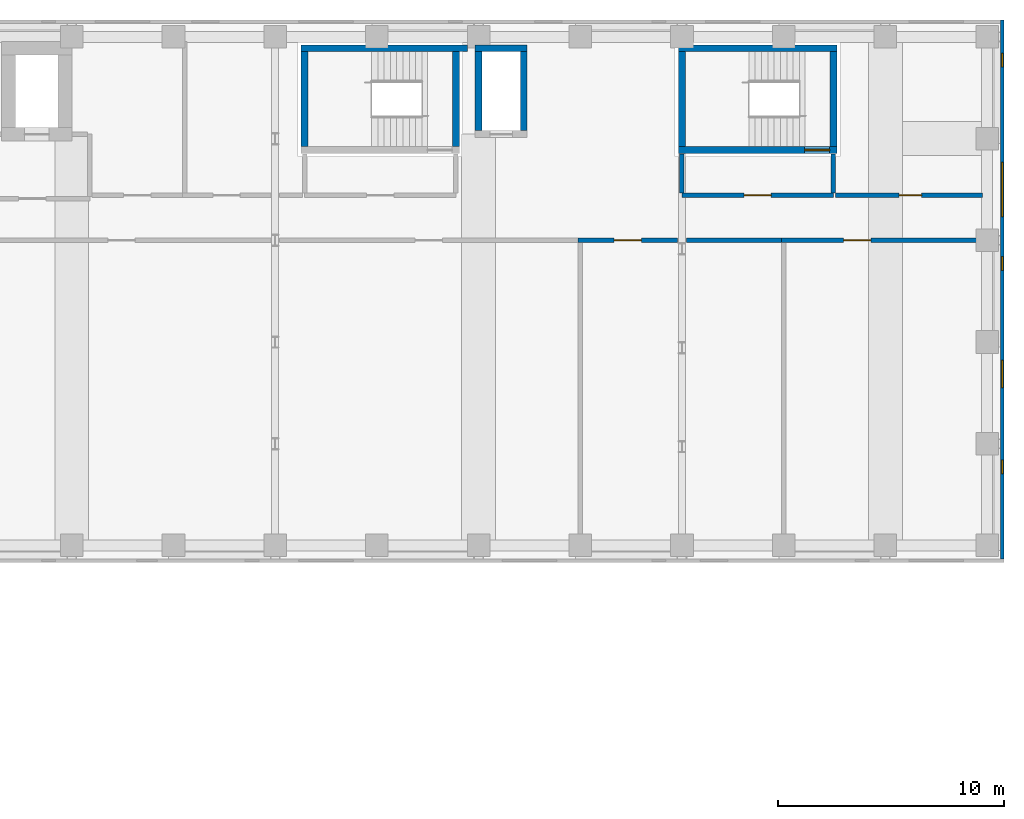
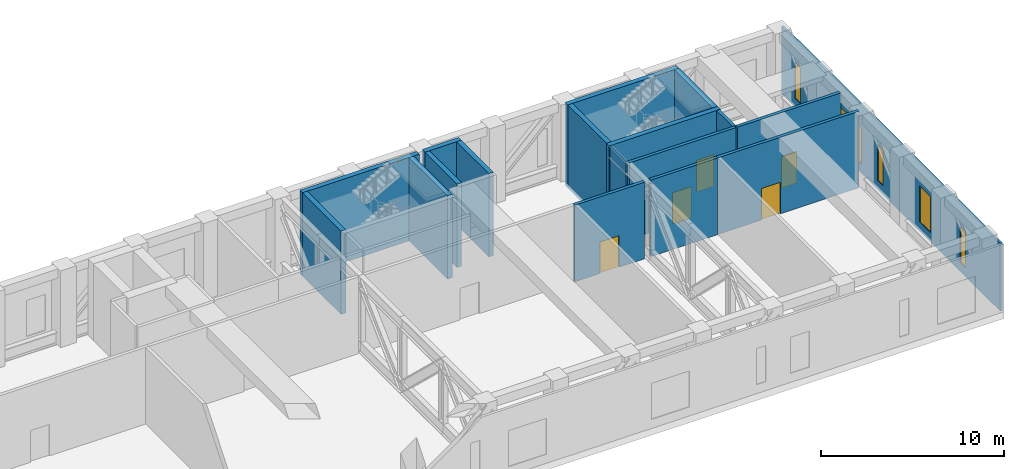
# One storey, part 10 of 14: 18 walls, 5 doors, 5 windows, 10 openings.
"""IFC4 building model written with IfcOpenShell, lengths in metres."""

import ifcopenshell
import ifcopenshell.guid

model = None  # the IFC model being written
_history = None  # IfcOwnerHistory: only IFC2X3 demands one
_inside = {}  # id of a spatial element -> (the spatial element, [elements in it])
_under = {}  # id of a project, library or spatial element -> (it, [spatial elements below it])
_declared = {}  # id of a project -> (the project, [libraries it declares])
_typed = {}  # id of a type object -> (the type object, [elements of that type])
_made_of = {}  # id of a material, layer set ... -> (it, [elements and type objects made of it])


def new_model(schema):
    """Start an empty IFC model of exactly this schema.

    Asked for "IFC4X3", IfcOpenShell would pick the latest addendum, in which some entities
    have other attributes; the version numbers below select the first issue.
    IFC2X3 requires an IfcOwnerHistory on every rooted entity: one is made here for all.
    """
    global model, _history
    if schema == "IFC4X3":
        model = ifcopenshell.file(schema_version=(4, 3, 0, 0))
    else:
        model = ifcopenshell.file(schema=schema)
    _inside.clear()
    _under.clear()
    _declared.clear()
    _typed.clear()
    _made_of.clear()
    _history = None
    if model.schema == "IFC2X3":
        org = make("IfcOrganization", Name="unknown")
        user = make(
            "IfcPersonAndOrganization",
            ThePerson=make("IfcPerson", FamilyName="unknown"),
            TheOrganization=org,
        )
        app = make(
            "IfcApplication",
            ApplicationDeveloper=org,
            Version="unknown",
            ApplicationFullName="unknown",
            ApplicationIdentifier="unknown",
        )
        _history = make(
            "IfcOwnerHistory",
            OwningUser=user,
            OwningApplication=app,
            ChangeAction="ADDED",
            CreationDate=0,
        )
    return model


def make(cls, **values):
    """One entity of the class cls with the attributes given. An attribute that is None is left unset."""
    return model.create_entity(
        cls, **{name: value for name, value in values.items() if value is not None}
    )


def rooted(cls, **values):
    """An entity with a GlobalId (a new one), such as an element, a storey or a relation."""
    return make(cls, GlobalId=ifcopenshell.guid.new(), OwnerHistory=_history, **values)


def si_unit(unit_type, name, prefix=None):
    """IfcSIUnit, for example si_unit("LENGTHUNIT", "METRE", prefix="MILLI")."""
    return make("IfcSIUnit", UnitType=unit_type, Prefix=prefix, Name=name)


def assignment(units):
    """IfcUnitAssignment: the units of a project."""
    return None if units is None else make("IfcUnitAssignment", Units=units)


def point(xyz):
    """IfcCartesianPoint."""
    return None if xyz is None else make("IfcCartesianPoint", Coordinates=xyz)


def direction(xyz):
    """IfcDirection."""
    return None if xyz is None else make("IfcDirection", DirectionRatios=xyz)


def frame(location, z_axis=None, x_axis=None):
    """IfcAxis2Placement3D, a coordinate frame: its origin and axes. An axis left out is left unset."""
    return make(
        "IfcAxis2Placement3D",
        Location=point(location),
        Axis=direction(z_axis),
        RefDirection=direction(x_axis),
    )


def frame_2d(location, x_axis=None):
    """IfcAxis2Placement2D, a coordinate frame in the plane: its origin and x axis."""
    return make(
        "IfcAxis2Placement2D", Location=point(location), RefDirection=direction(x_axis)
    )


def origin():
    """The frame at (0, 0, 0) with its axes left unset."""
    return frame((0.0, 0.0, 0.0))


def place(relative_to, where):
    """IfcLocalPlacement: puts the frame where relative to a parent placement (None: the world)."""
    return make(
        "IfcLocalPlacement", PlacementRelTo=relative_to, RelativePlacement=where
    )


def context(
    kind, dimensions, precision=None, world=None, true_north=None, identifier=None
):
    """IfcGeometricRepresentationContext, for example the 3D "Model" context."""
    return make(
        "IfcGeometricRepresentationContext",
        ContextIdentifier=identifier,
        ContextType=kind,
        CoordinateSpaceDimension=dimensions,
        Precision=precision,
        WorldCoordinateSystem=world,
        TrueNorth=true_north,
    )


def subcontext(parent, identifier, kind, view, scale=None):
    """IfcGeometricRepresentationSubContext, for example "Body" below "Model"."""
    return make(
        "IfcGeometricRepresentationSubContext",
        ContextIdentifier=identifier,
        ContextType=kind,
        ParentContext=parent,
        TargetScale=scale,
        TargetView=view,
    )


def project(units=None, contexts=None):
    """IfcProject with its units and contexts."""
    return rooted(
        "IfcProject",
        Name="project",
        RepresentationContexts=contexts,
        UnitsInContext=assignment(units),
    )


def spatial(cls, under=None, at=None, **own):
    """A site, building, storey or space (cls), placed at a placement, below another one or the project."""
    s = rooted(cls, ObjectPlacement=at, **own)
    if under is not None:
        _under.setdefault(under.id(), (under, []))[1].append(s)
    return s


def profile(cls, at=None, kind="AREA", **sizes):
    """A parametric profile (cls). Its sizes go by their IFC names, for example OverallWidth=200.0."""
    return make(cls, ProfileType=kind, Position=at, **sizes)


def rectangle(**sizes):
    """IfcRectangleProfileDef."""
    return profile("IfcRectangleProfileDef", **sizes)


def extrude(swept, where, along, depth):
    """IfcExtrudedAreaSolid: the profile swept, set in the frame where, extruded along a direction by depth."""
    return make(
        "IfcExtrudedAreaSolid",
        SweptArea=swept,
        Position=where,
        ExtrudedDirection=direction(along),
        Depth=depth,
    )


def shape(context_of_items, identifier, shape_type, items):
    """IfcShapeRepresentation: the items that make up one representation, for example the "Body"."""
    return make(
        "IfcShapeRepresentation",
        ContextOfItems=context_of_items,
        RepresentationIdentifier=identifier,
        RepresentationType=shape_type,
        Items=items,
    )


def material(Name=None, Category=None):
    """IfcMaterial."""
    return make("IfcMaterial", Name=Name, Category=Category)


def layer(
    of_material, thickness, ventilated=None, Name=None, Category=None, Priority=None
):
    """IfcMaterialLayer: one layer of a wall or slab, of a material (None: an air gap)."""
    return make(
        "IfcMaterialLayer",
        Material=of_material,
        LayerThickness=thickness,
        IsVentilated=ventilated,
        Name=Name,
        Category=Category,
        Priority=Priority,
    )


def layer_set(layers, Name=None):
    """IfcMaterialLayerSet."""
    return make("IfcMaterialLayerSet", MaterialLayers=layers, LayerSetName=Name)


def made_of(thing, what):
    """Note that an element or type object is made of a material, layer set ...; save() writes the relation."""
    if what is not None:
        _made_of.setdefault(what.id(), (what, []))[1].append(thing)
    return thing


def type_object(cls, material=None, **own):
    """A type object (cls), such as IfcWallType, which elements share."""
    return made_of(rooted(cls, **own), material)


def element(
    cls,
    number,
    at=None,
    inside=None,
    cuts=None,
    type_object=None,
    material=None,
    context=None,
    identifier="Body",
    shape_type=None,
    held_by="IfcProductDefinitionShape",
    body=None,
    shapes=None,
    **own,
):
    """One element of the class cls, such as IfcWall. Its Tag is "e" and its number.

    at: its placement. inside: the storey or other place that contains it. cuts: it is an
    opening in that element (IfcRelVoidsElement). A single representation is given by context,
    identifier, shape_type and body (its items); several are given by shapes. held_by: the class
    of the entity that holds the representations. save() writes the other relations.
    """
    e = rooted(cls, Tag="e%d" % number, ObjectPlacement=at, **own)
    if body is not None:
        shapes = [shape(context, identifier, shape_type, body)]
    if shapes is not None:
        e.Representation = make(held_by, Representations=shapes)
    if inside is not None:
        _inside.setdefault(inside.id(), (inside, []))[1].append(e)
    if cuts is not None:
        rooted(
            "IfcRelVoidsElement", RelatingBuildingElement=cuts, RelatedOpeningElement=e
        )
    if type_object is not None:
        _typed.setdefault(type_object.id(), (type_object, []))[1].append(e)
    return made_of(e, material)


def fill(opening, filler):
    """IfcRelFillsElement: the door or window that sits in an opening."""
    return rooted(
        "IfcRelFillsElement",
        RelatingOpeningElement=opening,
        RelatedBuildingElement=filler,
    )


def aggregate(whole, parts):
    """IfcRelAggregates: a whole, such as a stair, and the parts it consists of."""
    return rooted("IfcRelAggregates", RelatingObject=whole, RelatedObjects=parts)


def save(model, path):
    """Write the relations noted so far, then the file.

    IfcRelAggregates (storeys below a building ...), IfcRelContainedInSpatialStructure (elements
    in a storey), IfcRelDefinesByType, IfcRelAssociatesMaterial and IfcRelDeclares: one each for
    every whole, place, type object, material and project.
    """
    for whole, parts in _under.values():
        aggregate(whole, parts)
    for where, things in _inside.values():
        rooted(
            "IfcRelContainedInSpatialStructure",
            RelatedElements=things,
            RelatingStructure=where,
        )
    for kind, things in _typed.values():
        rooted("IfcRelDefinesByType", RelatedObjects=things, RelatingType=kind)
    for what, things in _made_of.values():
        rooted("IfcRelAssociatesMaterial", RelatedObjects=things, RelatingMaterial=what)
    for by, libraries in _declared.values():
        rooted("IfcRelDeclares", RelatingContext=by, RelatedDefinitions=libraries)
    model.write(path)


model = new_model("IFC4")

# Units and contexts
model_context = context("Model", 3, precision=1e-05, world=origin(), true_north=direction((0.0, 1.0)))
body_context = subcontext(model_context, "Body", "Model", "MODEL_VIEW")
ifc_project = project(units=[si_unit("LENGTHUNIT", "METRE"), si_unit("AREAUNIT", "SQUARE_METRE"), si_unit("VOLUMEUNIT", "CUBIC_METRE"), si_unit("PLANEANGLEUNIT", "RADIAN"), si_unit("MASSUNIT", "GRAM", prefix="KILO")], contexts=[model_context])

# Site, building, storey
site_placement = place(None, origin())
site = spatial("IfcSite", under=ifc_project, at=site_placement, CompositionType="ELEMENT")
building_placement = place(site_placement, origin())
building = spatial("IfcBuilding", under=site, at=building_placement, Name="Firuza Court", CompositionType="ELEMENT")
storey_placement = place(building_placement, frame((0.0, 0.0, 173.60009765625)))
storey = spatial("IfcBuildingStorey", under=building, at=storey_placement, Name="L44", CompositionType="ELEMENT", Elevation=173.60009765625)

# Walls
ifc_material_1 = material(Name="Concrete C60/75", Category="concrete")
ifc_layer_1 = layer(ifc_material_1, 0.300048828125)
ifc_layer_set_1 = layer_set([ifc_layer_1], Name="Concrete C60/75")
wall_type_1 = type_object("IfcWallType", Name="Core wall 300 C60/75", PredefinedType="SHEAR", material=ifc_layer_set_1)
wall_1_placement = place(storey_placement, frame((37.14990234375, 58.0, -0.4501953125), z_axis=(0.0, 0.0, 1.0), x_axis=(1.0, 0.0, 0.0)))
element("IfcWall", 1, at=wall_1_placement, inside=storey, type_object=wall_type_1, Name="Core wall stair L44", PredefinedType="SHEAR", context=body_context, shape_type="SweptSolid", body=[
    extrude(rectangle(XDim=7.35009765625, YDim=0.300048828125, at=frame_2d((3.675048828125, 0.0))), origin(), (0.0, 0.0, 1.0), 5.550048828125),
])
for number, where, z_axis, x_axis, name in (
    (2, (37.300048828125, 53.64990234375, -0.4501953125), (0.0, 0.0, 1.0), (0.0, 1.0, 0.0), "Core wall stair L44"),
    (3, (44.0, 53.64990234375, -0.4501953125), (0.0, 0.0, 1.0), (0.0, 1.0, 0.0), "Core wall stair L44"),
):
    element("IfcWall", number, at=place(storey_placement, frame(where, z_axis=z_axis, x_axis=x_axis)), inside=storey, type_object=wall_type_1, Name=name, PredefinedType="SHEAR", context=body_context, shape_type="SweptSolid", body=[
        extrude(rectangle(XDim=4.2001953125, YDim=0.300048828125, at=frame_2d((2.10009765625, 0.0))), origin(), (0.0, 0.0, 1.0), 5.550048828125),
    ])
wall_2_placement = place(storey_placement, frame((44.85009765625, 58.0, -0.4501953125), z_axis=(0.0, 0.0, 1.0), x_axis=(1.0, 0.0, 0.0)))
element("IfcWall", 4, at=wall_2_placement, inside=storey, type_object=wall_type_1, Name="Core wall riser L44", PredefinedType="SHEAR", context=body_context, shape_type="SweptSolid", body=[
    extrude(rectangle(XDim=2.2998046875, YDim=0.300048828125, at=frame_2d((1.14990234375, 0.0))), origin(), (0.0, 0.0, 1.0), 5.550048828125),
])
for number, where, z_axis, x_axis, name in (
    (5, (45.0, 54.35009765625, -0.4501953125), (0.0, 0.0, 1.0), (0.0, 1.0, 0.0), "Core wall riser L44"),
    (6, (47.0, 54.35009765625, -0.4501953125), (0.0, 0.0, 1.0), (0.0, 1.0, 0.0), "Core wall riser L44"),
):
    element("IfcWall", number, at=place(storey_placement, frame(where, z_axis=z_axis, x_axis=x_axis)), inside=storey, type_object=wall_type_1, Name=name, PredefinedType="SHEAR", context=body_context, shape_type="SweptSolid", body=[
        extrude(rectangle(XDim=3.5, YDim=0.300048828125, at=frame_2d((1.75, 0.0))), origin(), (0.0, 0.0, 1.0), 5.550048828125),
    ])

# Wall, opening, door
wall_3_placement = place(storey_placement, frame((53.85009765625, 53.5, -0.4501953125), z_axis=(0.0, 0.0, 1.0), x_axis=(1.0, 0.0, 0.0)))
wall_3 = element("IfcWall", 7, at=wall_3_placement, inside=storey, type_object=wall_type_1, Name="Core wall stair L44", PredefinedType="SHEAR", context=body_context, shape_type="SweptSolid", body=[
    extrude(rectangle(XDim=7.0, YDim=0.300048828125, at=frame_2d((3.5, 0.0))), origin(), (0.0, 0.0, 1.0), 5.550048828125),
])
opening_1_placement = place(wall_3_placement, frame((5.580078125, 0.0, 0.449951171875)))
opening_1 = element("IfcOpeningElement", 8, at=opening_1_placement, cuts=wall_3, Name="Opening D44016", PredefinedType="OPENING", context=body_context, shape_type="SweptSolid", body=[
    extrude(rectangle(XDim=1.10009765625, YDim=2.10009765625, at=frame_2d((0.550048828125, 1.050048828125))), frame((0.0, 0.162109375, 0.0), z_axis=(0.0, -1.0, 0.0), x_axis=(1.0, 0.0, 0.0)), (0.0, 0.0, 1.0), 0.323974609375),
])
ifc_material_2 = material(Name="Timber door leaf in hardwood frame", Category="wood")
door_type_1 = type_object("IfcDoorType", Name="Stair door 1100", OperationType="SINGLE_SWING_LEFT", PredefinedType="DOOR", material=ifc_material_2)
door_1_placement = place(opening_1_placement, origin())
door_1 = element("IfcDoor", 9, at=door_1_placement, inside=storey, type_object=door_type_1, Name="Stair door S4", OperationType="SINGLE_SWING_RIGHT", OverallHeight=2.10009765625, OverallWidth=1.10009765625, PredefinedType="DOOR", context=body_context, shape_type="SweptSolid", body=[
    extrude(rectangle(XDim=1.10009765625, YDim=2.10009765625, at=frame_2d((0.550048828125, 1.050048828125))), frame((0.0, 0.02490234375, 0.0), z_axis=(0.0, -1.0, 0.0), x_axis=(1.0, 0.0, 0.0)), (0.0, 0.0, 1.0), 0.050048828125),
])
fill(opening_1, door_1)

# Walls
wall_4_placement = place(storey_placement, frame((53.85009765625, 58.0, -0.4501953125), z_axis=(0.0, 0.0, 1.0), x_axis=(1.0, 0.0, 0.0)))
element("IfcWall", 10, at=wall_4_placement, inside=storey, type_object=wall_type_1, Name="Core wall stair L44", PredefinedType="SHEAR", context=body_context, shape_type="SweptSolid", body=[
    extrude(rectangle(XDim=7.0, YDim=0.300048828125, at=frame_2d((3.5, 0.0))), origin(), (0.0, 0.0, 1.0), 5.550048828125),
])
for number, where, z_axis, x_axis, name in (
    (11, (54.0, 53.64990234375, -0.4501953125), (0.0, 0.0, 1.0), (0.0, 1.0, 0.0), "Core wall stair L44"),
    (12, (60.699951171875, 53.64990234375, -0.4501953125), (0.0, 0.0, 1.0), (0.0, 1.0, 0.0), "Core wall stair L44"),
):
    element("IfcWall", number, at=place(storey_placement, frame(where, z_axis=z_axis, x_axis=x_axis)), inside=storey, type_object=wall_type_1, Name=name, PredefinedType="SHEAR", context=body_context, shape_type="SweptSolid", body=[
        extrude(rectangle(XDim=4.2001953125, YDim=0.300048828125, at=frame_2d((2.10009765625, 0.0))), origin(), (0.0, 0.0, 1.0), 5.550048828125),
    ])

# Wall, opening, door
ifc_material_3 = material(Name="Blockwork, fire-rated", Category="masonry")
ifc_layer_2 = layer(ifc_material_3, 0.199951171875)
ifc_layer_set_2 = layer_set([ifc_layer_2], Name="Blockwork, fire-rated")
wall_type_2 = type_object("IfcWallType", Name="Plant room wall 200", PredefinedType="PARTITIONING", material=ifc_layer_set_2)
wall_5_placement = place(storey_placement, frame((49.39990234375, 49.5, 0.0), z_axis=(0.0, 0.0, 1.0), x_axis=(1.0, 0.0, 0.0)))
wall_5 = element("IfcWall", 13, at=wall_5_placement, inside=storey, type_object=wall_type_2, Name="Plant room wall 200 L44", PredefinedType="PARTITIONING", context=body_context, shape_type="SweptSolid", body=[
    extrude(rectangle(XDim=4.40771484375, YDim=0.199951171875, at=frame_2d((2.203857421875, 0.0))), origin(), (0.0, 0.0, 1.0), 5.099853515625),
])
opening_2_placement = place(wall_5_placement, frame((1.603759765625, 0.0, 0.0)))
opening_2 = element("IfcOpeningElement", 14, at=opening_2_placement, cuts=wall_5, Name="Opening D44027", PredefinedType="OPENING", context=body_context, shape_type="SweptSolid", body=[
    extrude(rectangle(XDim=1.199951171875, YDim=2.10009765625, at=frame_2d((0.60009765625, 1.050048828125))), frame((0.0, 0.11181640625, 0.0), z_axis=(0.0, -1.0, 0.0), x_axis=(1.0, 0.0, 0.0)), (0.0, 0.0, 1.0), 0.223876953125),
])
ifc_material_4 = material(Name="Timber door leaf in hardwood frame", Category="wood")
door_type_2 = type_object("IfcDoorType", Name="Plant room door 1200", OperationType="SINGLE_SWING_LEFT", PredefinedType="DOOR", material=ifc_material_4)
door_2_placement = place(opening_2_placement, frame((1.199951171875, 0.0, 0.0), z_axis=(0.0, 0.0, 1.0), x_axis=(-1.0, 0.0, 0.0)))
door_2 = element("IfcDoor", 15, at=door_2_placement, inside=storey, type_object=door_type_2, Name="Plant door", OperationType="SINGLE_SWING_RIGHT", OverallHeight=2.10009765625, OverallWidth=1.199951171875, PredefinedType="DOOR", context=body_context, shape_type="SweptSolid", body=[
    extrude(rectangle(XDim=1.199951171875, YDim=2.10009765625, at=frame_2d((0.60009765625, 1.050048828125))), frame((0.0, 0.02490234375, 0.0), z_axis=(0.0, -1.0, 0.0), x_axis=(1.0, 0.0, 0.0)), (0.0, 0.0, 1.0), 0.050048828125),
])
fill(opening_2, door_2)

# Wall
wall_6_placement = place(storey_placement, frame((54.1923828125, 49.5, 0.0), z_axis=(0.0, 0.0, 1.0), x_axis=(1.0, 0.0, 0.0)))
element("IfcWall", 16, at=wall_6_placement, inside=storey, type_object=wall_type_2, Name="Plant room wall 200 L44", PredefinedType="PARTITIONING", context=body_context, shape_type="SweptSolid", body=[
    extrude(rectangle(XDim=4.20751953125, YDim=0.199951171875, at=frame_2d((2.103759765625, 0.0))), origin(), (0.0, 0.0, 1.0), 5.099853515625),
])

# Wall, opening, door
wall_7_placement = place(storey_placement, frame((58.39990234375, 49.5, 0.0), z_axis=(0.0, 0.0, 1.0), x_axis=(1.0, 0.0, 0.0)))
wall_7 = element("IfcWall", 17, at=wall_7_placement, inside=storey, type_object=wall_type_2, Name="Plant room wall 200 L44", PredefinedType="PARTITIONING", context=body_context, shape_type="SweptSolid", body=[
    extrude(rectangle(XDim=8.90869140625, YDim=0.199951171875, at=frame_2d((4.454345703125, 0.0))), origin(), (0.0, 0.0, 1.0), 5.099853515625),
])
opening_3_placement = place(wall_7_placement, frame((2.754150390625, 0.0, 0.0)))
opening_3 = element("IfcOpeningElement", 18, at=opening_3_placement, cuts=wall_7, Name="Opening D44028", PredefinedType="OPENING", context=body_context, shape_type="SweptSolid", body=[
    extrude(rectangle(XDim=1.199951171875, YDim=2.10009765625, at=frame_2d((0.60009765625, 1.050048828125))), frame((0.0, 0.11181640625, 0.0), z_axis=(0.0, -1.0, 0.0), x_axis=(1.0, 0.0, 0.0)), (0.0, 0.0, 1.0), 0.223876953125),
])
door_3_placement = place(opening_3_placement, frame((1.199951171875, 0.0, 0.0), z_axis=(0.0, 0.0, 1.0), x_axis=(-1.0, 0.0, 0.0)))
door_3 = element("IfcDoor", 19, at=door_3_placement, inside=storey, type_object=door_type_2, Name="Plant door", OperationType="SINGLE_SWING_RIGHT", OverallHeight=2.10009765625, OverallWidth=1.199951171875, PredefinedType="DOOR", context=body_context, shape_type="SweptSolid", body=[
    extrude(rectangle(XDim=1.199951171875, YDim=2.10009765625, at=frame_2d((0.60009765625, 1.050048828125))), frame((0.0, 0.02490234375, 0.0), z_axis=(0.0, -1.0, 0.0), x_axis=(1.0, 0.0, 0.0)), (0.0, 0.0, 1.0), 0.050048828125),
])
fill(opening_3, door_3)

wall_8_placement = place(storey_placement, frame((67.30859375, 51.5, 0.0), z_axis=(0.0, 0.0, 1.0), x_axis=(-1.0, 0.0, 0.0)))
wall_8 = element("IfcWall", 20, at=wall_8_placement, inside=storey, type_object=wall_type_2, Name="Plant room wall 200 L44", PredefinedType="PARTITIONING", context=body_context, shape_type="SweptSolid", body=[
    extrude(rectangle(XDim=6.508544921875, YDim=0.199951171875, at=frame_2d((3.25439453125, 0.0))), origin(), (0.0, 0.0, 1.0), 5.099853515625),
])
opening_4_placement = place(wall_8_placement, frame((2.7041015625, 0.0, 0.0)))
opening_4 = element("IfcOpeningElement", 21, at=opening_4_placement, cuts=wall_8, Name="Opening D44031", PredefinedType="OPENING", context=body_context, shape_type="SweptSolid", body=[
    extrude(rectangle(XDim=1.0, YDim=2.10009765625, at=frame_2d((0.5, 1.050048828125))), frame((0.0, 0.11181640625, 0.0), z_axis=(0.0, -1.0, 0.0), x_axis=(1.0, 0.0, 0.0)), (0.0, 0.0, 1.0), 0.223876953125),
])
ifc_material_5 = material(Name="Timber door leaf in hardwood frame", Category="wood")
door_type_3 = type_object("IfcDoorType", Name="Store door 1000", OperationType="SINGLE_SWING_LEFT", PredefinedType="DOOR", material=ifc_material_5)
door_4_placement = place(opening_4_placement, frame((1.0, 0.0, 0.0), z_axis=(0.0, 0.0, 1.0), x_axis=(-1.0, 0.0, 0.0)))
door_4 = element("IfcDoor", 22, at=door_4_placement, inside=storey, type_object=door_type_3, Name="Store door", OperationType="SINGLE_SWING_LEFT", OverallHeight=2.10009765625, OverallWidth=1.0, PredefinedType="DOOR", context=body_context, shape_type="SweptSolid", body=[
    extrude(rectangle(XDim=1.0, YDim=2.10009765625, at=frame_2d((0.5, 1.050048828125))), frame((0.0, 0.02490234375, 0.0), z_axis=(0.0, -1.0, 0.0), x_axis=(1.0, 0.0, 0.0)), (0.0, 0.0, 1.0), 0.050048828125),
])
fill(opening_4, door_4)

# Wall, openings, windows
ifc_material_6 = material(Name="Ceramic tile", Category="ceramic")
ifc_layer_3 = layer(ifc_material_6, 0.02001953125)
ifc_material_7 = material(Name="Mineral wool insulation", Category="insulation")
ifc_layer_4 = layer(ifc_material_7, 0.050048828125)
ifc_material_8 = material(Name="Concrete C40/50 precast", Category="concrete")
ifc_layer_5 = layer(ifc_material_8, 0.080078125)
ifc_layer_set_3 = layer_set([ifc_layer_3, ifc_layer_4, ifc_layer_5], Name="Concrete C40/50 precast")
wall_type_3 = type_object("IfcWallType", Name="Precast cladding wall with turquoise TILE PANEL face 150", PredefinedType="STANDARD", material=ifc_layer_set_3)
wall_9_placement = place(storey_placement, frame((68.175048828125, 35.39990234375, 0.0), z_axis=(0.0, 0.0, 1.0), x_axis=(0.0, 1.0, 0.0)))
wall_9 = element("IfcWall", 23, at=wall_9_placement, inside=storey, type_object=wall_type_3, Name="Facade wall L44 E", PredefinedType="STANDARD", context=body_context, shape_type="SweptSolid", body=[
    extrude(rectangle(XDim=23.85009765625, YDim=0.14990234375, at=frame_2d((11.925048828125, 0.0))), origin(), (0.0, 0.0, 1.0), 4.5),
])
opening_5_placement = place(wall_9_placement, frame((3.77490234375, 0.0, 0.60009765625)))
opening_5 = element("IfcOpeningElement", 24, at=opening_5_placement, cuts=wall_9, Name="Opening LV6", PredefinedType="OPENING", context=body_context, shape_type="SweptSolid", body=[
    extrude(rectangle(XDim=0.60009765625, YDim=2.39990234375, at=frame_2d((0.300048828125, 1.199951171875))), frame((0.0, 0.0869140625, 0.0), z_axis=(0.0, -1.0, 0.0), x_axis=(1.0, 0.0, 0.0)), (0.0, 0.0, 1.0), 0.173828125),
])
opening_6_placement = place(wall_9_placement, frame((7.587890625, 0.0, 0.60009765625)))
opening_6 = element("IfcOpeningElement", 25, at=opening_6_placement, cuts=wall_9, Name="Opening LV5", PredefinedType="OPENING", context=body_context, shape_type="SweptSolid", body=[
    extrude(rectangle(XDim=1.199951171875, YDim=2.39990234375, at=frame_2d((0.60009765625, 1.199951171875))), frame((0.0, 0.0869140625, 0.0), z_axis=(0.0, -1.0, 0.0), x_axis=(1.0, 0.0, 0.0)), (0.0, 0.0, 1.0), 0.173828125),
])
opening_7_placement = place(wall_9_placement, frame((12.77490234375, 0.0, 0.60009765625)))
opening_7 = element("IfcOpeningElement", 26, at=opening_7_placement, cuts=wall_9, Name="Opening LV6", PredefinedType="OPENING", context=body_context, shape_type="SweptSolid", body=[
    extrude(rectangle(XDim=0.60009765625, YDim=2.39990234375, at=frame_2d((0.300048828125, 1.199951171875))), frame((0.0, 0.0869140625, 0.0), z_axis=(0.0, -1.0, 0.0), x_axis=(1.0, 0.0, 0.0)), (0.0, 0.0, 1.0), 0.173828125),
])
opening_8_placement = place(wall_9_placement, frame((15.14990234375, 0.0, 0.60009765625)))
opening_8 = element("IfcOpeningElement", 27, at=opening_8_placement, cuts=wall_9, Name="Opening LV2", PredefinedType="OPENING", context=body_context, shape_type="SweptSolid", body=[
    extrude(rectangle(XDim=2.39990234375, YDim=2.39990234375, at=frame_2d((1.199951171875, 1.199951171875))), frame((0.0, 0.0869140625, 0.0), z_axis=(0.0, -1.0, 0.0), x_axis=(1.0, 0.0, 0.0)), (0.0, 0.0, 1.0), 0.173828125),
])
opening_9_placement = place(wall_9_placement, frame((21.77490234375, 0.0, 0.60009765625)))
opening_9 = element("IfcOpeningElement", 28, at=opening_9_placement, cuts=wall_9, Name="Opening LV6", PredefinedType="OPENING", context=body_context, shape_type="SweptSolid", body=[
    extrude(rectangle(XDim=0.60009765625, YDim=2.39990234375, at=frame_2d((0.300048828125, 1.199951171875))), frame((0.0, 0.0869140625, 0.0), z_axis=(0.0, -1.0, 0.0), x_axis=(1.0, 0.0, 0.0)), (0.0, 0.0, 1.0), 0.173828125),
])
ifc_material_9 = material(Name="Aluminium weather louvre with insect mesh", Category="aluminium")
window_type_1 = type_object("IfcWindowType", Name="Plant louvre 1200 x 2400", PartitioningType="SINGLE_PANEL", PredefinedType="USERDEFINED", material=ifc_material_9)
window_1_placement = place(opening_6_placement, origin())
window_1 = element("IfcWindow", 29, at=window_1_placement, inside=storey, type_object=window_type_1, Name="Louvre L44", ObjectType="LOUVRE", OverallHeight=2.39990234375, OverallWidth=1.199951171875, PartitioningType="SINGLE_PANEL", PredefinedType="USERDEFINED", context=body_context, shape_type="SweptSolid", body=[
    extrude(rectangle(XDim=1.199951171875, YDim=2.39990234375, at=frame_2d((0.60009765625, 1.199951171875))), frame((0.0, 0.030029296875, 0.0), z_axis=(0.0, -1.0, 0.0), x_axis=(1.0, 0.0, 0.0)), (0.0, 0.0, 1.0), 0.06005859375),
])
fill(opening_6, window_1)
ifc_material_10 = material(Name="Aluminium weather louvre with insect mesh", Category="aluminium")
window_type_2 = type_object("IfcWindowType", Name="Plant louvre 2400 x 2400", PartitioningType="SINGLE_PANEL", PredefinedType="USERDEFINED", material=ifc_material_10)
window_2_placement = place(opening_8_placement, origin())
window_2 = element("IfcWindow", 30, at=window_2_placement, inside=storey, type_object=window_type_2, Name="Louvre L44", ObjectType="LOUVRE", OverallHeight=2.39990234375, OverallWidth=2.39990234375, PartitioningType="SINGLE_PANEL", PredefinedType="USERDEFINED", context=body_context, shape_type="SweptSolid", body=[
    extrude(rectangle(XDim=2.39990234375, YDim=2.39990234375, at=frame_2d((1.199951171875, 1.199951171875))), frame((0.0, 0.030029296875, 0.0), z_axis=(0.0, -1.0, 0.0), x_axis=(1.0, 0.0, 0.0)), (0.0, 0.0, 1.0), 0.06005859375),
])
fill(opening_8, window_2)
ifc_material_11 = material(Name="Aluminium weather louvre with insect mesh", Category="aluminium")
window_type_3 = type_object("IfcWindowType", Name="Plant louvre 600 x 2400", PartitioningType="SINGLE_PANEL", PredefinedType="USERDEFINED", material=ifc_material_11)
window_3_placement = place(opening_5_placement, origin())
window_3 = element("IfcWindow", 31, at=window_3_placement, inside=storey, type_object=window_type_3, Name="Louvre L44", ObjectType="LOUVRE", OverallHeight=2.39990234375, OverallWidth=0.60009765625, PartitioningType="SINGLE_PANEL", PredefinedType="USERDEFINED", context=body_context, shape_type="SweptSolid", body=[
    extrude(rectangle(XDim=0.60009765625, YDim=2.39990234375, at=frame_2d((0.300048828125, 1.199951171875))), frame((0.0, 0.030029296875, 0.0), z_axis=(0.0, -1.0, 0.0), x_axis=(1.0, 0.0, 0.0)), (0.0, 0.0, 1.0), 0.06005859375),
])
fill(opening_5, window_3)
window_4_placement = place(opening_7_placement, origin())
window_4 = element("IfcWindow", 32, at=window_4_placement, inside=storey, type_object=window_type_3, Name="Louvre L44", ObjectType="LOUVRE", OverallHeight=2.39990234375, OverallWidth=0.60009765625, PartitioningType="SINGLE_PANEL", PredefinedType="USERDEFINED", context=body_context, shape_type="SweptSolid", body=[
    extrude(rectangle(XDim=0.60009765625, YDim=2.39990234375, at=frame_2d((0.300048828125, 1.199951171875))), frame((0.0, 0.030029296875, 0.0), z_axis=(0.0, -1.0, 0.0), x_axis=(1.0, 0.0, 0.0)), (0.0, 0.0, 1.0), 0.06005859375),
])
fill(opening_7, window_4)
window_5_placement = place(opening_9_placement, origin())
window_5 = element("IfcWindow", 33, at=window_5_placement, inside=storey, type_object=window_type_3, Name="Louvre L44", ObjectType="LOUVRE", OverallHeight=2.39990234375, OverallWidth=0.60009765625, PartitioningType="SINGLE_PANEL", PredefinedType="USERDEFINED", context=body_context, shape_type="SweptSolid", body=[
    extrude(rectangle(XDim=0.60009765625, YDim=2.39990234375, at=frame_2d((0.300048828125, 1.199951171875))), frame((0.0, 0.030029296875, 0.0), z_axis=(0.0, -1.0, 0.0), x_axis=(1.0, 0.0, 0.0)), (0.0, 0.0, 1.0), 0.06005859375),
])
fill(opening_9, window_5)

# Wall, opening, door
ifc_layer_6 = layer(ifc_material_3, 0.199951171875)
ifc_layer_set_4 = layer_set([ifc_layer_6], Name="Blockwork, fire-rated")
wall_type_4 = type_object("IfcWallType", Name="Shaft wall 200", PredefinedType="PARTITIONING", material=ifc_layer_set_4)
wall_10_placement = place(storey_placement, frame((54.0, 51.5, 0.0), z_axis=(0.0, 0.0, 1.0), x_axis=(1.0, 0.0, 0.0)))
wall_10 = element("IfcWall", 34, at=wall_10_placement, inside=storey, type_object=wall_type_4, Name="Shaft wall 200 L44", PredefinedType="PARTITIONING", context=body_context, shape_type="SweptSolid", body=[
    extrude(rectangle(XDim=6.699951171875, YDim=0.199951171875, at=frame_2d((3.35009765625, 0.0))), origin(), (0.0, 0.0, 1.0), 5.099853515625),
])
opening_10_placement = place(wall_10_placement, frame((2.75, 0.0, 0.0)))
opening_10 = element("IfcOpeningElement", 35, at=opening_10_placement, cuts=wall_10, Name="Opening D44007", PredefinedType="OPENING", context=body_context, shape_type="SweptSolid", body=[
    extrude(rectangle(XDim=1.199951171875, YDim=2.10009765625, at=frame_2d((0.60009765625, 1.050048828125))), frame((0.0, 0.11181640625, 0.0), z_axis=(0.0, -1.0, 0.0), x_axis=(1.0, 0.0, 0.0)), (0.0, 0.0, 1.0), 0.223876953125),
])
ifc_material_12 = material(Name="Timber door leaf in hardwood frame", Category="wood")
door_type_4 = type_object("IfcDoorType", Name="Lobby door 1200", OperationType="SINGLE_SWING_LEFT", PredefinedType="DOOR", material=ifc_material_12)
door_5_placement = place(opening_10_placement, origin())
door_5 = element("IfcDoor", 36, at=door_5_placement, inside=storey, type_object=door_type_4, Name="Lobby door", OperationType="SINGLE_SWING_LEFT", OverallHeight=2.10009765625, OverallWidth=1.199951171875, PredefinedType="DOOR", context=body_context, shape_type="SweptSolid", body=[
    extrude(rectangle(XDim=1.199951171875, YDim=2.10009765625, at=frame_2d((0.60009765625, 1.050048828125))), frame((0.0, 0.02490234375, 0.0), z_axis=(0.0, -1.0, 0.0), x_axis=(1.0, 0.0, 0.0)), (0.0, 0.0, 1.0), 0.050048828125),
])
fill(opening_10, door_5)

# Walls
for number, where, z_axis, x_axis, name in (
    (37, (60.699951171875, 51.60009765625, 0.0), (0.0, 0.0, 1.0), (0.0, 1.0, 0.0), "Shaft wall 200 L44"),
    (38, (54.0, 51.60009765625, 0.0), (0.0, 0.0, 1.0), (0.0, 1.0, 0.0), "Shaft wall 200 L44"),
):
    element("IfcWall", number, at=place(storey_placement, frame(where, z_axis=z_axis, x_axis=x_axis)), inside=storey, type_object=wall_type_4, Name=name, PredefinedType="PARTITIONING", context=body_context, shape_type="SweptSolid", body=[
        extrude(rectangle(XDim=1.72998046875, YDim=0.199951171875, at=frame_2d((0.864990234375, 0.0))), origin(), (0.0, 0.0, 1.0), 5.099853515625),
    ])

save(model, "model.ifc")
